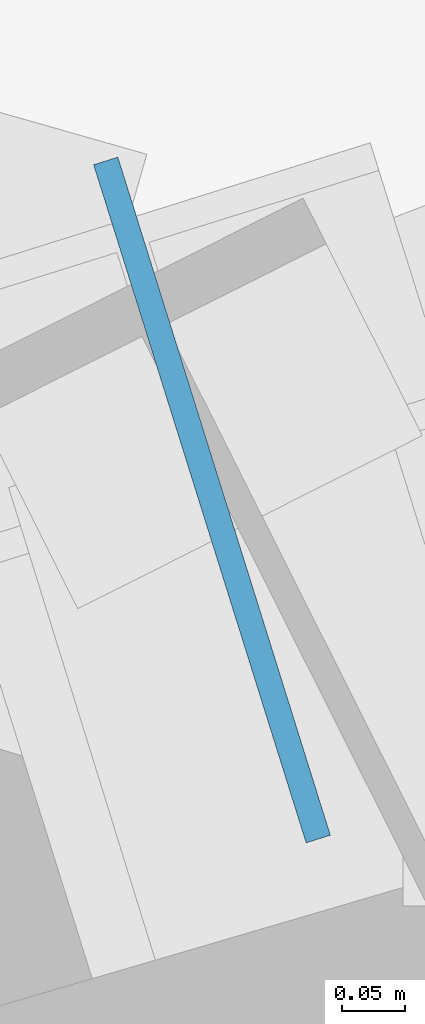
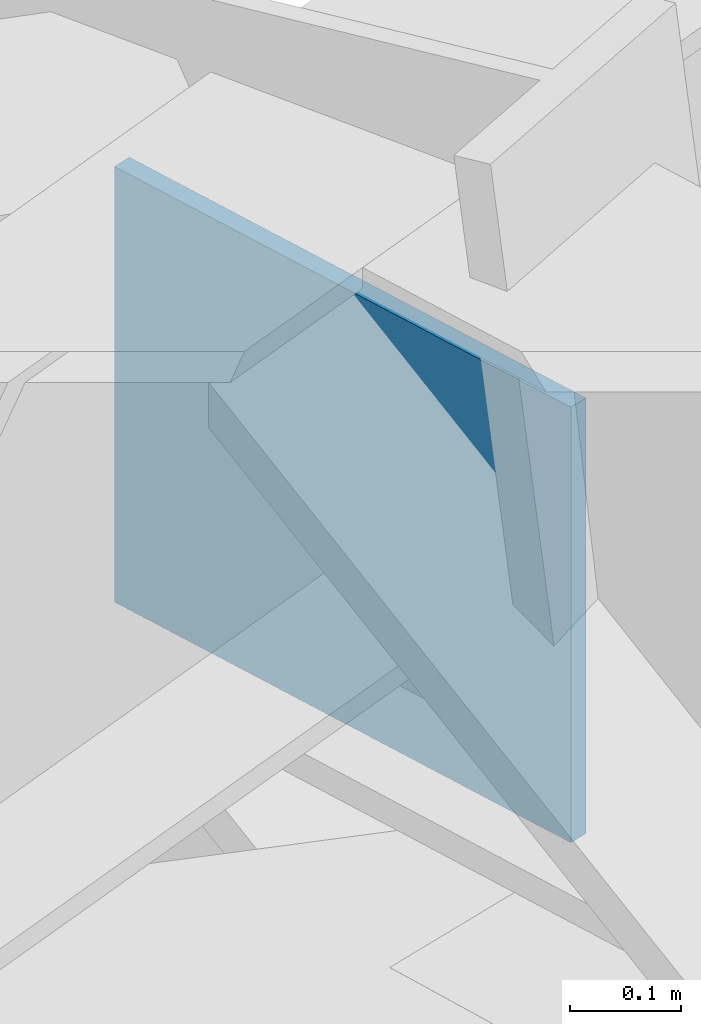
# One storey, part 12 of 19: 1 plate.
"""IFC4 building model written with IfcOpenShell, lengths in metres."""

from ifc_helpers import new_model, si_unit, direction, frame, origin, origin_2d, place, context, subcontext, project, spatial, rectangle, extrude, source, transform, mapped, material, type_object, element, save


model = new_model("IFC4")

# Units and contexts
model_context = context("Model", 3, precision=1e-05, world=origin(), true_north=direction((0.0, 1.0)))
body_context = subcontext(model_context, "Body", "Model", "MODEL_VIEW")
ifc_project = project(units=[si_unit("LENGTHUNIT", "METRE"), si_unit("AREAUNIT", "SQUARE_METRE"), si_unit("VOLUMEUNIT", "CUBIC_METRE"), si_unit("PLANEANGLEUNIT", "RADIAN"), si_unit("MASSUNIT", "GRAM", prefix="KILO")], contexts=[model_context])

# Site, building, storey
site_placement = place(None, origin())
site = spatial("IfcSite", under=ifc_project, at=site_placement, CompositionType="ELEMENT")
building_placement = place(site_placement, origin())
building = spatial("IfcBuilding", under=site, at=building_placement, Name="Olszyna Solenne Hotel", CompositionType="ELEMENT")
storey_placement = place(building_placement, frame((0.0, 0.0, 102.14990234375)))
storey = spatial("IfcBuildingStorey", under=building, at=storey_placement, Name="L26", CompositionType="ELEMENT", Elevation=102.14990234375)

# Plate
ifc_material = material(Name="Steel S355J2", Category="steel")
plate_type = type_object("IfcPlateType", Name="GP-ND2", PredefinedType="USERDEFINED", material=ifc_material)
shared_shape = source(origin(), body_context, "Body", "SweptSolid", [
    extrude(rectangle(XDim=0.56005859375, YDim=0.02001953125, at=origin_2d()), origin(), (0.0, 0.0, 1.0), 0.47998046875),
])
plate_placement = place(storey_placement, frame((66.098388671875, 37.477783203125, 2.6533203125), z_axis=(0.0, 0.0, 1.0), x_axis=(-0.299040792256, 0.954240328516, 0.0)))
element("IfcPlate", 1, at=plate_placement, inside=storey, type_object=plate_type, Name="Brace end connection gusset plate GP-ND2 EP-BR-L26-1-2", ObjectType="GUSSET_PLATE", PredefinedType="USERDEFINED", context=body_context, shape_type="MappedRepresentation", body=[
    mapped(shared_shape, transform((0.0, 0.0, 0.0), x_axis=(1.0, 0.0, 0.0), y_axis=(0.0, 1.0, 0.0), z_axis=(0.0, 0.0, 1.0), scale=1.0)),
])

save(model, "model.ifc")
